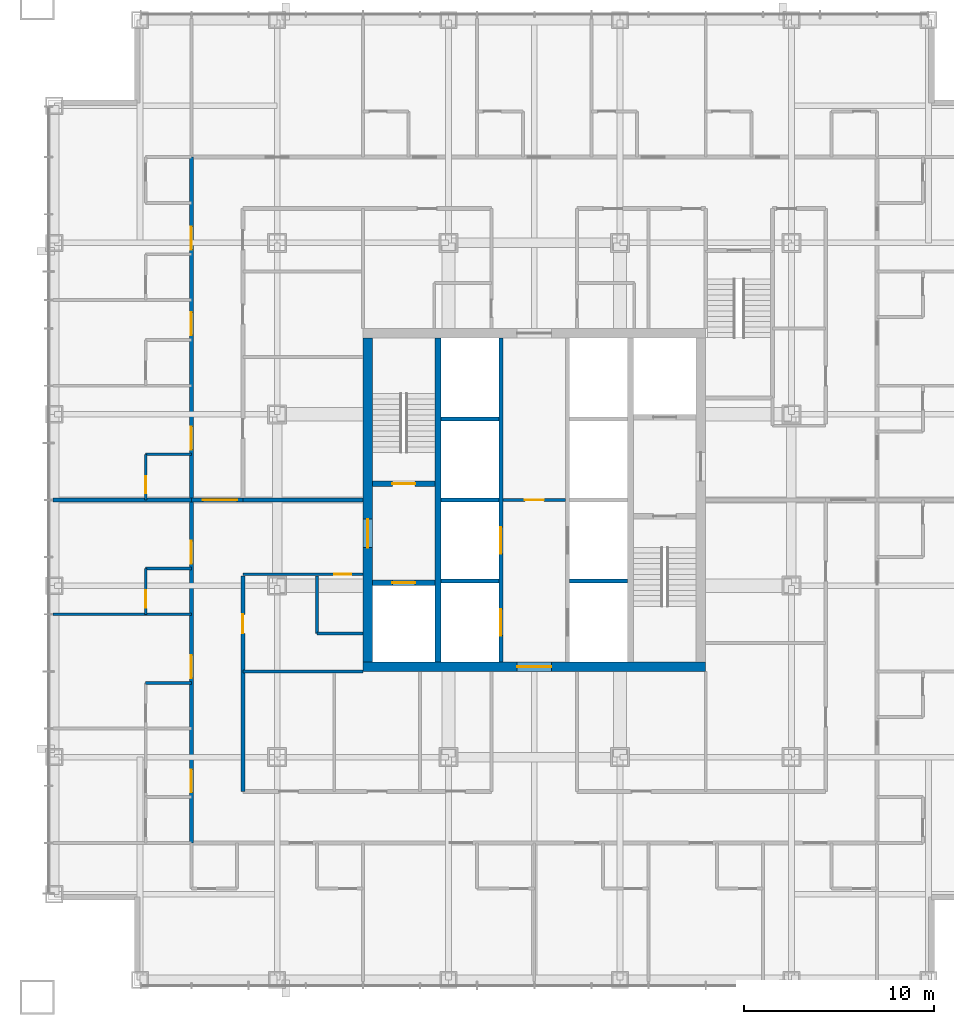
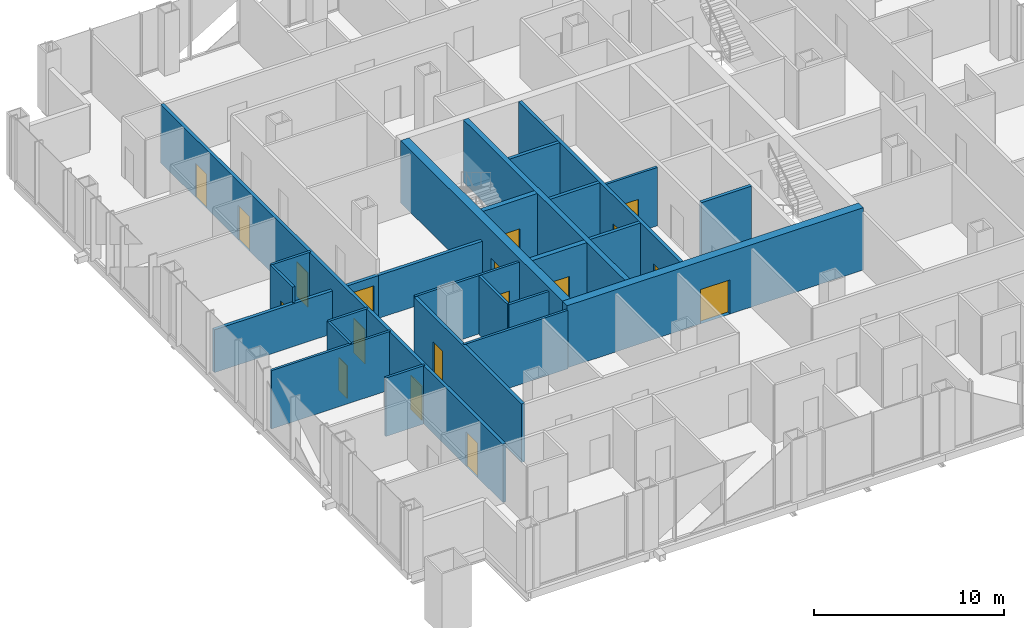
# One storey, part 8 of 14: 26 walls, 18 doors, 18 openings.
"""IFC4 building model written with IfcOpenShell, lengths in metres."""

from ifc_helpers import new_model, si_unit, direction, frame, frame_2d, origin, place, context, subcontext, project, spatial, rectangle, extrude, material, layer, layer_set, type_object, element, fill, save


model = new_model("IFC4")

# Units and contexts
model_context = context("Model", 3, precision=1e-05, world=origin(), true_north=direction((0.0, 1.0)))
body_context = subcontext(model_context, "Body", "Model", "MODEL_VIEW")
ifc_project = project(units=[si_unit("LENGTHUNIT", "METRE"), si_unit("AREAUNIT", "SQUARE_METRE"), si_unit("VOLUMEUNIT", "CUBIC_METRE"), si_unit("PLANEANGLEUNIT", "RADIAN"), si_unit("MASSUNIT", "GRAM", prefix="KILO")], contexts=[model_context])

# Site, building, storey
site_placement = place(None, origin())
site = spatial("IfcSite", under=ifc_project, at=site_placement, CompositionType="ELEMENT")
building_placement = place(site_placement, origin())
building = spatial("IfcBuilding", under=site, at=building_placement, Name="Malebo Sky Hospital", CompositionType="ELEMENT")
storey_placement = place(building_placement, frame((0.0, 0.0, 71.0)))
storey = spatial("IfcBuildingStorey", under=building, at=storey_placement, Name="L16", CompositionType="ELEMENT", Elevation=71.0)

# Wall, openings, doors
ifc_material_1 = material(Name="Concrete C80/95", Category="concrete")
ifc_layer_1 = layer(ifc_material_1, 0.199951171875)
ifc_layer_set_1 = layer_set([ifc_layer_1], Name="CORE INNER WALL 200")
wall_type_1 = type_object("IfcWallType", Name="CORE INNER WALL 200", PredefinedType="SHEAR", material=ifc_layer_set_1)
wall_1_placement = place(storey_placement, frame((58.25, 53.5, 0.0), z_axis=(0.0, 0.0, 1.0), x_axis=(0.0, 1.0, 0.0)))
wall_1 = element("IfcWall", 1, at=wall_1_placement, inside=storey, type_object=wall_type_1, Name="Core wall LW L16", PredefinedType="SHEAR", context=body_context, shape_type="SweptSolid", body=[
    extrude(rectangle(XDim=17.0, YDim=0.199951171875, at=frame_2d((8.5, 0.0))), origin(), (0.0, 0.0, 1.0), 4.0),
])
opening_1_placement = place(wall_1_placement, frame((1.375, 0.0, 0.0)))
opening_1 = element("IfcOpeningElement", 2, at=opening_1_placement, cuts=wall_1, Name="Opening LD1", PredefinedType="OPENING", context=body_context, shape_type="SweptSolid", body=[
    extrude(rectangle(XDim=1.39990234375, YDim=2.199951171875, at=frame_2d((0.699951171875, 1.10009765625))), frame((0.0, 0.10986328125, 0.0), z_axis=(0.0, -1.0, 0.0), x_axis=(1.0, 0.0, 0.0)), (0.0, 0.0, 1.0), 0.219970703125),
])
opening_2_placement = place(wall_1_placement, frame((5.675048828125, 0.0, 0.0)))
opening_2 = element("IfcOpeningElement", 3, at=opening_2_placement, cuts=wall_1, Name="Opening LD1", PredefinedType="OPENING", context=body_context, shape_type="SweptSolid", body=[
    extrude(rectangle(XDim=1.39990234375, YDim=2.199951171875, at=frame_2d((0.699951171875, 1.10009765625))), frame((0.0, 0.10986328125, 0.0), z_axis=(0.0, -1.0, 0.0), x_axis=(1.0, 0.0, 0.0)), (0.0, 0.0, 1.0), 0.219970703125),
])
ifc_material_2 = material(Name="Stainless steel sliding landing door", Category="steel")
door_type_1 = type_object("IfcDoorType", Name="LIFT LANDING DOOR 1400", OperationType="SLIDING_TO_LEFT", PredefinedType="DOOR", material=ifc_material_2)
door_1_placement = place(opening_1_placement, origin())
door_1 = element("IfcDoor", 4, at=door_1_placement, inside=storey, type_object=door_type_1, Name="Lift W1 landing door", OperationType="SLIDING_TO_LEFT", OverallHeight=2.199951171875, OverallWidth=1.39990234375, PredefinedType="DOOR", context=body_context, shape_type="SweptSolid", body=[
    extrude(rectangle(XDim=1.39990234375, YDim=2.199951171875, at=frame_2d((0.699951171875, 1.10009765625))), frame((0.0, 0.02490234375, 0.0), z_axis=(0.0, -1.0, 0.0), x_axis=(1.0, 0.0, 0.0)), (0.0, 0.0, 1.0), 0.050048828125),
])
fill(opening_1, door_1)
door_2_placement = place(opening_2_placement, origin())
door_2 = element("IfcDoor", 5, at=door_2_placement, inside=storey, type_object=door_type_1, Name="Lift W2 landing door", OperationType="SLIDING_TO_LEFT", OverallHeight=2.199951171875, OverallWidth=1.39990234375, PredefinedType="DOOR", context=body_context, shape_type="SweptSolid", body=[
    extrude(rectangle(XDim=1.39990234375, YDim=2.199951171875, at=frame_2d((0.699951171875, 1.10009765625))), frame((0.0, 0.02490234375, 0.0), z_axis=(0.0, -1.0, 0.0), x_axis=(1.0, 0.0, 0.0)), (0.0, 0.0, 1.0), 0.050048828125),
])
fill(opening_2, door_2)

# Walls
for number, where, z_axis, x_axis, name in (
    (6, (55.10009765625, 57.75, 0.0), (0.0, 0.0, 1.0), (1.0, 0.0, 0.0), "Core wall SW0 L16"),
    (7, (61.85009765625, 57.75, 0.0), (0.0, 0.0, 1.0), (1.0, 0.0, 0.0), "Core wall SE0 L16"),
    (8, (55.10009765625, 62.0, 0.0), (0.0, 0.0, 1.0), (1.0, 0.0, 0.0), "Core wall SW1 L16"),
    (9, (55.10009765625, 66.25, 0.0), (0.0, 0.0, 1.0), (1.0, 0.0, 0.0), "Core wall SW2 L16"),
):
    element("IfcWall", number, at=place(storey_placement, frame(where, z_axis=z_axis, x_axis=x_axis)), inside=storey, type_object=wall_type_1, Name=name, PredefinedType="SHEAR", context=body_context, shape_type="SweptSolid", body=[
        extrude(rectangle(XDim=3.0498046875, YDim=0.199951171875, at=frame_2d((1.52490234375, 0.0))), origin(), (0.0, 0.0, 1.0), 4.0),
    ])
ifc_layer_2 = layer(ifc_material_1, 0.300048828125)
ifc_layer_set_2 = layer_set([ifc_layer_2], Name="CORE INNER WALL 300")
wall_type_2 = type_object("IfcWallType", Name="CORE INNER WALL 300", PredefinedType="SHEAR", material=ifc_layer_set_2)
wall_2_placement = place(storey_placement, frame((54.949951171875, 53.5, 0.0), z_axis=(0.0, 0.0, 1.0), x_axis=(0.0, 1.0, 0.0)))
element("IfcWall", 10, at=wall_2_placement, inside=storey, type_object=wall_type_2, Name="Core wall XW L16", PredefinedType="SHEAR", context=body_context, shape_type="SweptSolid", body=[
    extrude(rectangle(XDim=17.0, YDim=0.300048828125, at=frame_2d((8.5, 0.0))), origin(), (0.0, 0.0, 1.0), 4.0),
])

# Wall, opening, door
wall_3_placement = place(storey_placement, frame((51.5, 62.85009765625, 0.0), z_axis=(0.0, 0.0, 1.0), x_axis=(1.0, 0.0, 0.0)))
wall_3 = element("IfcWall", 11, at=wall_3_placement, inside=storey, type_object=wall_type_2, Name="Core wall W1 L16", PredefinedType="SHEAR", context=body_context, shape_type="SweptSolid", body=[
    extrude(rectangle(XDim=3.300048828125, YDim=0.300048828125, at=frame_2d((1.64990234375, 0.0))), origin(), (0.0, 0.0, 1.0), 4.0),
])
opening_3_placement = place(wall_3_placement, frame((1.050048828125, 0.0, 0.0)))
opening_3 = element("IfcOpeningElement", 12, at=opening_3_placement, cuts=wall_3, Name="Opening D08", PredefinedType="OPENING", context=body_context, shape_type="SweptSolid", body=[
    extrude(rectangle(XDim=1.199951171875, YDim=2.10009765625, at=frame_2d((0.60009765625, 1.050048828125))), frame((0.0, 0.159912109375, 0.0), z_axis=(0.0, -1.0, 0.0), x_axis=(1.0, 0.0, 0.0)), (0.0, 0.0, 1.0), 0.320068359375),
])
ifc_material_3 = material(Name="Hardwood-faced door leaf in steel frame", Category="steel")
door_type_2 = type_object("IfcDoorType", Name="STAIR DOOR 1200", OperationType="SINGLE_SWING_LEFT", PredefinedType="DOOR", material=ifc_material_3)
door_3_placement = place(opening_3_placement, origin())
door_3 = element("IfcDoor", 13, at=door_3_placement, inside=storey, type_object=door_type_2, Name="Stair S1 door", OperationType="SINGLE_SWING_LEFT", OverallHeight=2.10009765625, OverallWidth=1.199951171875, PredefinedType="DOOR", context=body_context, shape_type="SweptSolid", body=[
    extrude(rectangle(XDim=1.199951171875, YDim=2.10009765625, at=frame_2d((0.60009765625, 1.050048828125))), frame((0.0, 0.02490234375, 0.0), z_axis=(0.0, -1.0, 0.0), x_axis=(1.0, 0.0, 0.0)), (0.0, 0.0, 1.0), 0.050048828125),
])
fill(opening_3, door_3)

wall_4_placement = place(storey_placement, frame((51.5, 57.64990234375, 0.0), z_axis=(0.0, 0.0, 1.0), x_axis=(1.0, 0.0, 0.0)))
wall_4 = element("IfcWall", 14, at=wall_4_placement, inside=storey, type_object=wall_type_2, Name="Core wall W2 L16", PredefinedType="SHEAR", context=body_context, shape_type="SweptSolid", body=[
    extrude(rectangle(XDim=3.300048828125, YDim=0.300048828125, at=frame_2d((1.64990234375, 0.0))), origin(), (0.0, 0.0, 1.0), 4.0),
])
opening_4_placement = place(wall_4_placement, frame((1.050048828125, 0.0, 0.0)))
opening_4 = element("IfcOpeningElement", 15, at=opening_4_placement, cuts=wall_4, Name="Opening LD2", PredefinedType="OPENING", context=body_context, shape_type="SweptSolid", body=[
    extrude(rectangle(XDim=1.199951171875, YDim=2.199951171875, at=frame_2d((0.60009765625, 1.10009765625))), frame((0.0, 0.159912109375, 0.0), z_axis=(0.0, -1.0, 0.0), x_axis=(1.0, 0.0, 0.0)), (0.0, 0.0, 1.0), 0.320068359375),
])
door_type_3 = type_object("IfcDoorType", Name="FIRE-FIGHTING LIFT LANDING DOOR 1200", OperationType="SLIDING_TO_LEFT", PredefinedType="DOOR", material=ifc_material_2)
door_4_placement = place(opening_4_placement, origin())
door_4 = element("IfcDoor", 16, at=door_4_placement, inside=storey, type_object=door_type_3, Name="Lift FL1 landing door", OperationType="SLIDING_TO_LEFT", OverallHeight=2.199951171875, OverallWidth=1.199951171875, PredefinedType="DOOR", context=body_context, shape_type="SweptSolid", body=[
    extrude(rectangle(XDim=1.199951171875, YDim=2.199951171875, at=frame_2d((0.60009765625, 1.10009765625))), frame((0.0, 0.02490234375, 0.0), z_axis=(0.0, -1.0, 0.0), x_axis=(1.0, 0.0, 0.0)), (0.0, 0.0, 1.0), 0.050048828125),
])
fill(opening_4, door_4)

ifc_layer_3 = layer(ifc_material_1, 0.5)
ifc_layer_set_3 = layer_set([ifc_layer_3], Name="CORE WALL 500")
wall_type_3 = type_object("IfcWallType", Name="CORE WALL 500", PredefinedType="SHEAR", material=ifc_layer_set_3)
wall_5_placement = place(storey_placement, frame((51.0, 53.25, 0.0), z_axis=(0.0, 0.0, 1.0), x_axis=(1.0, 0.0, 0.0)))
wall_5 = element("IfcWall", 17, at=wall_5_placement, inside=storey, type_object=wall_type_3, Name="Core wall S L16", PredefinedType="SHEAR", context=body_context, shape_type="SweptSolid", body=[
    extrude(rectangle(XDim=18.0, YDim=0.5, at=frame_2d((9.0, 0.0))), origin(), (0.0, 0.0, 1.0), 4.0),
])
opening_5_placement = place(wall_5_placement, frame((8.10009765625, 0.0, 0.0)))
opening_5 = element("IfcOpeningElement", 18, at=opening_5_placement, cuts=wall_5, Name="Opening D06", PredefinedType="OPENING", context=body_context, shape_type="SweptSolid", body=[
    extrude(rectangle(XDim=1.800048828125, YDim=2.199951171875, at=frame_2d((0.89990234375, 1.10009765625))), frame((0.0, 0.260009765625, 0.0), z_axis=(0.0, -1.0, 0.0), x_axis=(1.0, 0.0, 0.0)), (0.0, 0.0, 1.0), 0.52001953125),
])
door_type_4 = type_object("IfcDoorType", Name="LOBBY DOOR PAIR 1800", OperationType="DOUBLE_DOOR_SINGLE_SWING", PredefinedType="DOOR", material=ifc_material_3)
door_5_placement = place(opening_5_placement, origin())
door_5 = element("IfcDoor", 19, at=door_5_placement, inside=storey, type_object=door_type_4, Name="Lift lobby door south", OperationType="DOUBLE_DOOR_SINGLE_SWING", OverallHeight=2.199951171875, OverallWidth=1.800048828125, PredefinedType="DOOR", context=body_context, shape_type="SweptSolid", body=[
    extrude(rectangle(XDim=1.800048828125, YDim=2.199951171875, at=frame_2d((0.89990234375, 1.10009765625))), frame((0.0, 0.02490234375, 0.0), z_axis=(0.0, -1.0, 0.0), x_axis=(1.0, 0.0, 0.0)), (0.0, 0.0, 1.0), 0.050048828125),
])
fill(opening_5, door_5)

wall_6_placement = place(storey_placement, frame((51.25, 53.5, 0.0), z_axis=(0.0, 0.0, 1.0), x_axis=(0.0, 1.0, 0.0)))
wall_6 = element("IfcWall", 20, at=wall_6_placement, inside=storey, type_object=wall_type_3, Name="Core wall W L16", PredefinedType="SHEAR", context=body_context, shape_type="SweptSolid", body=[
    extrude(rectangle(XDim=17.0, YDim=0.5, at=frame_2d((8.5, 0.0))), origin(), (0.0, 0.0, 1.0), 4.0),
])
opening_6_placement = place(wall_6_placement, frame((6.0, 0.0, 0.0)))
opening_6 = element("IfcOpeningElement", 21, at=opening_6_placement, cuts=wall_6, Name="Opening D07", PredefinedType="OPENING", context=body_context, shape_type="SweptSolid", body=[
    extrude(rectangle(XDim=1.5, YDim=2.199951171875, at=frame_2d((0.75, 1.10009765625))), frame((0.0, 0.260009765625, 0.0), z_axis=(0.0, -1.0, 0.0), x_axis=(1.0, 0.0, 0.0)), (0.0, 0.0, 1.0), 0.52001953125),
])
door_type_5 = type_object("IfcDoorType", Name="FIRE-FIGHTING LOBBY DOOR PAIR 1500", OperationType="DOUBLE_DOOR_SINGLE_SWING", PredefinedType="DOOR", material=ifc_material_3)
door_6_placement = place(opening_6_placement, origin())
door_6 = element("IfcDoor", 22, at=door_6_placement, inside=storey, type_object=door_type_5, Name="Fire-fighting lobby door west", OperationType="DOUBLE_DOOR_SINGLE_SWING", OverallHeight=2.199951171875, OverallWidth=1.5, PredefinedType="DOOR", context=body_context, shape_type="SweptSolid", body=[
    extrude(rectangle(XDim=1.5, YDim=2.199951171875, at=frame_2d((0.75, 1.10009765625))), frame((0.0, 0.02490234375, 0.0), z_axis=(0.0, -1.0, 0.0), x_axis=(1.0, 0.0, 0.0)), (0.0, 0.0, 1.0), 0.050048828125),
])
fill(opening_6, door_6)

# Wall, openings, doors
ifc_material_4 = material(Name="Gypsum board on steel studs", Category="steel")
ifc_layer_4 = layer(ifc_material_4, 0.199951171875)
ifc_layer_set_4 = layer_set([ifc_layer_4], Name="CORRIDOR WALL 200")
wall_type_4 = type_object("IfcWallType", Name="CORRIDOR WALL 200", PredefinedType="PARTITIONING", material=ifc_layer_set_4)
wall_7_placement = place(storey_placement, frame((42.0, 44.0, 0.0), z_axis=(0.0, 0.0, 1.0), x_axis=(0.0, 1.0, 0.0)))
wall_7 = element("IfcWall", 23, at=wall_7_placement, inside=storey, type_object=wall_type_4, Name="Corridor Wall 200 WCO", PredefinedType="PARTITIONING", context=body_context, shape_type="SweptSolid", body=[
    extrude(rectangle(XDim=36.0, YDim=0.199951171875, at=frame_2d((18.0, 0.0))), origin(), (0.0, 0.0, 1.0), 3.75),
])
opening_7_placement = place(wall_7_placement, frame((2.64990234375, 0.0, 0.0)))
opening_7 = element("IfcOpeningElement", 24, at=opening_7_placement, cuts=wall_7, Name="Opening D18", PredefinedType="OPENING", context=body_context, shape_type="SweptSolid", body=[
    extrude(rectangle(XDim=1.199951171875, YDim=2.199951171875, at=frame_2d((0.60009765625, 1.10009765625))), frame((0.0, 0.10986328125, 0.0), z_axis=(0.0, -1.0, 0.0), x_axis=(1.0, 0.0, 0.0)), (0.0, 0.0, 1.0), 0.219970703125),
])
opening_8_placement = place(wall_7_placement, frame((8.64990234375, 0.0, 0.0)))
opening_8 = element("IfcOpeningElement", 25, at=opening_8_placement, cuts=wall_7, Name="Opening D01", PredefinedType="OPENING", context=body_context, shape_type="SweptSolid", body=[
    extrude(rectangle(XDim=1.199951171875, YDim=2.199951171875, at=frame_2d((0.60009765625, 1.10009765625))), frame((0.0, 0.10986328125, 0.0), z_axis=(0.0, -1.0, 0.0), x_axis=(1.0, 0.0, 0.0)), (0.0, 0.0, 1.0), 0.219970703125),
])
opening_9_placement = place(wall_7_placement, frame((14.64990234375, 0.0, 0.0)))
opening_9 = element("IfcOpeningElement", 26, at=opening_9_placement, cuts=wall_7, Name="Opening D01", PredefinedType="OPENING", context=body_context, shape_type="SweptSolid", body=[
    extrude(rectangle(XDim=1.199951171875, YDim=2.199951171875, at=frame_2d((0.60009765625, 1.10009765625))), frame((0.0, 0.10986328125, 0.0), z_axis=(0.0, -1.0, 0.0), x_axis=(1.0, 0.0, 0.0)), (0.0, 0.0, 1.0), 0.219970703125),
])
opening_10_placement = place(wall_7_placement, frame((20.64990234375, 0.0, 0.0)))
opening_10 = element("IfcOpeningElement", 27, at=opening_10_placement, cuts=wall_7, Name="Opening D01", PredefinedType="OPENING", context=body_context, shape_type="SweptSolid", body=[
    extrude(rectangle(XDim=1.199951171875, YDim=2.199951171875, at=frame_2d((0.60009765625, 1.10009765625))), frame((0.0, 0.10986328125, 0.0), z_axis=(0.0, -1.0, 0.0), x_axis=(1.0, 0.0, 0.0)), (0.0, 0.0, 1.0), 0.219970703125),
])
opening_11_placement = place(wall_7_placement, frame((26.64990234375, 0.0, 0.0)))
opening_11 = element("IfcOpeningElement", 28, at=opening_11_placement, cuts=wall_7, Name="Opening D01", PredefinedType="OPENING", context=body_context, shape_type="SweptSolid", body=[
    extrude(rectangle(XDim=1.199951171875, YDim=2.199951171875, at=frame_2d((0.60009765625, 1.10009765625))), frame((0.0, 0.10986328125, 0.0), z_axis=(0.0, -1.0, 0.0), x_axis=(1.0, 0.0, 0.0)), (0.0, 0.0, 1.0), 0.219970703125),
])
opening_12_placement = place(wall_7_placement, frame((31.14990234375, 0.0, 0.0)))
opening_12 = element("IfcOpeningElement", 29, at=opening_12_placement, cuts=wall_7, Name="Opening D01", PredefinedType="OPENING", context=body_context, shape_type="SweptSolid", body=[
    extrude(rectangle(XDim=1.199951171875, YDim=2.199951171875, at=frame_2d((0.60009765625, 1.10009765625))), frame((0.0, 0.10986328125, 0.0), z_axis=(0.0, -1.0, 0.0), x_axis=(1.0, 0.0, 0.0)), (0.0, 0.0, 1.0), 0.219970703125),
])
door_type_6 = type_object("IfcDoorType", Name="ANTEROOM DOOR 1200", OperationType="SINGLE_SWING_LEFT", PredefinedType="DOOR", material=ifc_material_3)
door_7_placement = place(opening_7_placement, origin())
door_7 = element("IfcDoor", 30, at=door_7_placement, inside=storey, type_object=door_type_6, Name="Anteroom door", OperationType="SINGLE_SWING_LEFT", OverallHeight=2.199951171875, OverallWidth=1.199951171875, PredefinedType="DOOR", context=body_context, shape_type="SweptSolid", body=[
    extrude(rectangle(XDim=1.199951171875, YDim=2.199951171875, at=frame_2d((0.60009765625, 1.10009765625))), frame((0.0, 0.02490234375, 0.0), z_axis=(0.0, -1.0, 0.0), x_axis=(1.0, 0.0, 0.0)), (0.0, 0.0, 1.0), 0.050048828125),
])
fill(opening_7, door_7)
door_type_7 = type_object("IfcDoorType", Name="BED DOOR 1200", OperationType="SINGLE_SWING_LEFT", PredefinedType="DOOR", material=ifc_material_3)
door_8_placement = place(opening_8_placement, origin())
door_8 = element("IfcDoor", 31, at=door_8_placement, inside=storey, type_object=door_type_7, Name="Single bed room door", OperationType="SINGLE_SWING_LEFT", OverallHeight=2.199951171875, OverallWidth=1.199951171875, PredefinedType="DOOR", context=body_context, shape_type="SweptSolid", body=[
    extrude(rectangle(XDim=1.199951171875, YDim=2.199951171875, at=frame_2d((0.60009765625, 1.10009765625))), frame((0.0, 0.02490234375, 0.0), z_axis=(0.0, -1.0, 0.0), x_axis=(1.0, 0.0, 0.0)), (0.0, 0.0, 1.0), 0.050048828125),
])
fill(opening_8, door_8)
door_9_placement = place(opening_9_placement, origin())
door_9 = element("IfcDoor", 32, at=door_9_placement, inside=storey, type_object=door_type_7, Name="Single bed room door", OperationType="SINGLE_SWING_LEFT", OverallHeight=2.199951171875, OverallWidth=1.199951171875, PredefinedType="DOOR", context=body_context, shape_type="SweptSolid", body=[
    extrude(rectangle(XDim=1.199951171875, YDim=2.199951171875, at=frame_2d((0.60009765625, 1.10009765625))), frame((0.0, 0.02490234375, 0.0), z_axis=(0.0, -1.0, 0.0), x_axis=(1.0, 0.0, 0.0)), (0.0, 0.0, 1.0), 0.050048828125),
])
fill(opening_9, door_9)
door_10_placement = place(opening_10_placement, origin())
door_10 = element("IfcDoor", 33, at=door_10_placement, inside=storey, type_object=door_type_7, Name="Single bed room door", OperationType="SINGLE_SWING_LEFT", OverallHeight=2.199951171875, OverallWidth=1.199951171875, PredefinedType="DOOR", context=body_context, shape_type="SweptSolid", body=[
    extrude(rectangle(XDim=1.199951171875, YDim=2.199951171875, at=frame_2d((0.60009765625, 1.10009765625))), frame((0.0, 0.02490234375, 0.0), z_axis=(0.0, -1.0, 0.0), x_axis=(1.0, 0.0, 0.0)), (0.0, 0.0, 1.0), 0.050048828125),
])
fill(opening_10, door_10)
door_11_placement = place(opening_11_placement, origin())
door_11 = element("IfcDoor", 34, at=door_11_placement, inside=storey, type_object=door_type_7, Name="Single bed room door", OperationType="SINGLE_SWING_LEFT", OverallHeight=2.199951171875, OverallWidth=1.199951171875, PredefinedType="DOOR", context=body_context, shape_type="SweptSolid", body=[
    extrude(rectangle(XDim=1.199951171875, YDim=2.199951171875, at=frame_2d((0.60009765625, 1.10009765625))), frame((0.0, 0.02490234375, 0.0), z_axis=(0.0, -1.0, 0.0), x_axis=(1.0, 0.0, 0.0)), (0.0, 0.0, 1.0), 0.050048828125),
])
fill(opening_11, door_11)
door_12_placement = place(opening_12_placement, origin())
door_12 = element("IfcDoor", 35, at=door_12_placement, inside=storey, type_object=door_type_7, Name="Four-bed bay door", OperationType="SINGLE_SWING_LEFT", OverallHeight=2.199951171875, OverallWidth=1.199951171875, PredefinedType="DOOR", context=body_context, shape_type="SweptSolid", body=[
    extrude(rectangle(XDim=1.199951171875, YDim=2.199951171875, at=frame_2d((0.60009765625, 1.10009765625))), frame((0.0, 0.02490234375, 0.0), z_axis=(0.0, -1.0, 0.0), x_axis=(1.0, 0.0, 0.0)), (0.0, 0.0, 1.0), 0.050048828125),
])
fill(opening_12, door_12)

# Wall, opening, door
wall_8_placement = place(storey_placement, frame((44.699951171875, 46.699951171875, 0.0), z_axis=(0.0, 0.0, 1.0), x_axis=(0.0, 1.0, 0.0)))
wall_8 = element("IfcWall", 36, at=wall_8_placement, inside=storey, type_object=wall_type_4, Name="Corridor Wall 200 WCI1", PredefinedType="PARTITIONING", context=body_context, shape_type="SweptSolid", body=[
    extrude(rectangle(XDim=11.300048828125, YDim=0.199951171875, at=frame_2d((5.64990234375, 0.0))), origin(), (0.0, 0.0, 1.0), 3.75),
])
opening_13_placement = place(wall_8_placement, frame((8.300048828125, 0.0, 0.0)))
opening_13 = element("IfcOpeningElement", 37, at=opening_13_placement, cuts=wall_8, Name="Opening D03", PredefinedType="OPENING", context=body_context, shape_type="SweptSolid", body=[
    extrude(rectangle(XDim=1.0, YDim=2.10009765625, at=frame_2d((0.5, 1.050048828125))), frame((0.0, 0.10986328125, 0.0), z_axis=(0.0, -1.0, 0.0), x_axis=(1.0, 0.0, 0.0)), (0.0, 0.0, 1.0), 0.219970703125),
])
door_type_8 = type_object("IfcDoorType", Name="ROOM DOOR 1000", OperationType="SINGLE_SWING_LEFT", PredefinedType="DOOR", material=ifc_material_3)
door_13_placement = place(opening_13_placement, origin())
door_13 = element("IfcDoor", 38, at=door_13_placement, inside=storey, type_object=door_type_8, Name="Ward office door", OperationType="SINGLE_SWING_LEFT", OverallHeight=2.10009765625, OverallWidth=1.0, PredefinedType="DOOR", context=body_context, shape_type="SweptSolid", body=[
    extrude(rectangle(XDim=1.0, YDim=2.10009765625, at=frame_2d((0.5, 1.050048828125))), frame((0.0, 0.02490234375, 0.0), z_axis=(0.0, -1.0, 0.0), x_axis=(1.0, 0.0, 0.0)), (0.0, 0.0, 1.0), 0.050048828125),
])
fill(opening_13, door_13)

# Walls
ifc_layer_5 = layer(ifc_material_4, 0.14990234375)
ifc_layer_set_5 = layer_set([ifc_layer_5], Name="PARTITION 150")
wall_type_5 = type_object("IfcWallType", Name="PARTITION 150", PredefinedType="PARTITIONING", material=ifc_layer_set_5)
wall_9_placement = place(storey_placement, frame((42.0, 56.0, 0.0), z_axis=(0.0, 0.0, 1.0), x_axis=(-1.0, 0.0, 0.0)))
element("IfcWall", 39, at=wall_9_placement, inside=storey, type_object=wall_type_5, Name="Partition 150 WP-6.0", PredefinedType="PARTITIONING", context=body_context, shape_type="SweptSolid", body=[
    extrude(rectangle(XDim=7.27490234375, YDim=0.14990234375, at=frame_2d((3.637451171875, 0.0))), origin(), (0.0, 0.0, 1.0), 3.75),
])
wall_10_placement = place(storey_placement, frame((42.0, 52.39990234375, 0.0), z_axis=(0.0, 0.0, 1.0), x_axis=(-1.0, 0.0, 0.0)))
element("IfcWall", 40, at=wall_10_placement, inside=storey, type_object=wall_type_5, Name="Partition 150 WE1S", PredefinedType="PARTITIONING", context=body_context, shape_type="SweptSolid", body=[
    extrude(rectangle(XDim=2.39990234375, YDim=0.14990234375, at=frame_2d((1.199951171875, 0.0))), origin(), (0.0, 0.0, 1.0), 3.75),
])

# Wall, opening, door
wall_11_placement = place(storey_placement, frame((39.60009765625, 56.0, 0.0), z_axis=(0.0, 0.0, 1.0), x_axis=(0.0, 1.0, 0.0)))
wall_11 = element("IfcWall", 41, at=wall_11_placement, inside=storey, type_object=wall_type_5, Name="Partition 150 WE2F", PredefinedType="PARTITIONING", context=body_context, shape_type="SweptSolid", body=[
    extrude(rectangle(XDim=2.39990234375, YDim=0.14990234375, at=frame_2d((1.199951171875, 0.0))), origin(), (0.0, 0.0, 1.0), 3.75),
])
opening_14_placement = place(wall_11_placement, frame((0.35009765625, 0.0, 0.0)))
opening_14 = element("IfcOpeningElement", 42, at=opening_14_placement, cuts=wall_11, Name="Opening D02", PredefinedType="OPENING", context=body_context, shape_type="SweptSolid", body=[
    extrude(rectangle(XDim=0.89990234375, YDim=2.10009765625, at=frame_2d((0.449951171875, 1.050048828125))), frame((0.0, 0.0849609375, 0.0), z_axis=(0.0, -1.0, 0.0), x_axis=(1.0, 0.0, 0.0)), (0.0, 0.0, 1.0), 0.169921875),
])
door_type_9 = type_object("IfcDoorType", Name="EN-SUITE DOOR 900", OperationType="SINGLE_SWING_LEFT", PredefinedType="DOOR", material=ifc_material_3)
door_14_placement = place(opening_14_placement, origin())
door_14 = element("IfcDoor", 43, at=door_14_placement, inside=storey, type_object=door_type_9, Name="En-suite door", OperationType="SINGLE_SWING_LEFT", OverallHeight=2.10009765625, OverallWidth=0.89990234375, PredefinedType="DOOR", context=body_context, shape_type="SweptSolid", body=[
    extrude(rectangle(XDim=0.89990234375, YDim=2.10009765625, at=frame_2d((0.449951171875, 1.050048828125))), frame((0.0, 0.02490234375, 0.0), z_axis=(0.0, -1.0, 0.0), x_axis=(1.0, 0.0, 0.0)), (0.0, 0.0, 1.0), 0.050048828125),
])
fill(opening_14, door_14)

# Wall
wall_12_placement = place(storey_placement, frame((42.0, 58.39990234375, 0.0), z_axis=(0.0, 0.0, 1.0), x_axis=(-1.0, 0.0, 0.0)))
element("IfcWall", 44, at=wall_12_placement, inside=storey, type_object=wall_type_5, Name="Partition 150 WE2S", PredefinedType="PARTITIONING", context=body_context, shape_type="SweptSolid", body=[
    extrude(rectangle(XDim=2.39990234375, YDim=0.14990234375, at=frame_2d((1.199951171875, 0.0))), origin(), (0.0, 0.0, 1.0), 3.75),
])

# Wall, opening, door
wall_13_placement = place(storey_placement, frame((39.60009765625, 62.0, 0.0), z_axis=(0.0, 0.0, 1.0), x_axis=(0.0, 1.0, 0.0)))
wall_13 = element("IfcWall", 45, at=wall_13_placement, inside=storey, type_object=wall_type_5, Name="Partition 150 WE3F", PredefinedType="PARTITIONING", context=body_context, shape_type="SweptSolid", body=[
    extrude(rectangle(XDim=2.39990234375, YDim=0.14990234375, at=frame_2d((1.199951171875, 0.0))), origin(), (0.0, 0.0, 1.0), 3.75),
])
opening_15_placement = place(wall_13_placement, frame((0.35009765625, 0.0, 0.0)))
opening_15 = element("IfcOpeningElement", 46, at=opening_15_placement, cuts=wall_13, Name="Opening D02", PredefinedType="OPENING", context=body_context, shape_type="SweptSolid", body=[
    extrude(rectangle(XDim=0.89990234375, YDim=2.10009765625, at=frame_2d((0.449951171875, 1.050048828125))), frame((0.0, 0.0849609375, 0.0), z_axis=(0.0, -1.0, 0.0), x_axis=(1.0, 0.0, 0.0)), (0.0, 0.0, 1.0), 0.169921875),
])
door_15_placement = place(opening_15_placement, origin())
door_15 = element("IfcDoor", 47, at=door_15_placement, inside=storey, type_object=door_type_9, Name="En-suite door", OperationType="SINGLE_SWING_LEFT", OverallHeight=2.10009765625, OverallWidth=0.89990234375, PredefinedType="DOOR", context=body_context, shape_type="SweptSolid", body=[
    extrude(rectangle(XDim=0.89990234375, YDim=2.10009765625, at=frame_2d((0.449951171875, 1.050048828125))), frame((0.0, 0.02490234375, 0.0), z_axis=(0.0, -1.0, 0.0), x_axis=(1.0, 0.0, 0.0)), (0.0, 0.0, 1.0), 0.050048828125),
])
fill(opening_15, door_15)

# Walls
wall_14_placement = place(storey_placement, frame((42.0, 64.39990234375, 0.0), z_axis=(0.0, 0.0, 1.0), x_axis=(-1.0, 0.0, 0.0)))
element("IfcWall", 48, at=wall_14_placement, inside=storey, type_object=wall_type_5, Name="Partition 150 WE3S", PredefinedType="PARTITIONING", context=body_context, shape_type="SweptSolid", body=[
    extrude(rectangle(XDim=2.39990234375, YDim=0.14990234375, at=frame_2d((1.199951171875, 0.0))), origin(), (0.0, 0.0, 1.0), 3.75),
])
wall_15_placement = place(storey_placement, frame((51.0, 53.0, 0.0), z_axis=(0.0, 0.0, 1.0), x_axis=(-1.0, 0.0, 0.0)))
element("IfcWall", 49, at=wall_15_placement, inside=storey, type_object=wall_type_5, Name="Partition 150 WSP0", PredefinedType="PARTITIONING", context=body_context, shape_type="SweptSolid", body=[
    extrude(rectangle(XDim=6.300048828125, YDim=0.14990234375, at=frame_2d((3.14990234375, 0.0))), origin(), (0.0, 0.0, 1.0), 3.75),
])

# Wall, opening, door
wall_16_placement = place(storey_placement, frame((51.0, 58.10009765625, 0.0), z_axis=(0.0, 0.0, 1.0), x_axis=(-1.0, 0.0, 0.0)))
wall_16 = element("IfcWall", 50, at=wall_16_placement, inside=storey, type_object=wall_type_5, Name="Partition 150 WSPA", PredefinedType="PARTITIONING", context=body_context, shape_type="SweptSolid", body=[
    extrude(rectangle(XDim=6.300048828125, YDim=0.14990234375, at=frame_2d((3.14990234375, 0.0))), origin(), (0.0, 0.0, 1.0), 3.75),
])
opening_16_placement = place(wall_16_placement, frame((0.60009765625, 0.0, 0.0)))
opening_16 = element("IfcOpeningElement", 51, at=opening_16_placement, cuts=wall_16, Name="Opening D04", PredefinedType="OPENING", context=body_context, shape_type="SweptSolid", body=[
    extrude(rectangle(XDim=0.89990234375, YDim=2.10009765625, at=frame_2d((0.449951171875, 1.050048828125))), frame((0.0, 0.0849609375, 0.0), z_axis=(0.0, -1.0, 0.0), x_axis=(1.0, 0.0, 0.0)), (0.0, 0.0, 1.0), 0.169921875),
])
door_type_10 = type_object("IfcDoorType", Name="ROOM DOOR 900", OperationType="SINGLE_SWING_LEFT", PredefinedType="DOOR", material=ifc_material_3)
door_16_placement = place(opening_16_placement, origin())
door_16 = element("IfcDoor", 52, at=door_16_placement, inside=storey, type_object=door_type_10, Name="Cleaner's room door", OperationType="SINGLE_SWING_LEFT", OverallHeight=2.10009765625, OverallWidth=0.89990234375, PredefinedType="DOOR", context=body_context, shape_type="SweptSolid", body=[
    extrude(rectangle(XDim=0.89990234375, YDim=2.10009765625, at=frame_2d((0.449951171875, 1.050048828125))), frame((0.0, 0.02490234375, 0.0), z_axis=(0.0, -1.0, 0.0), x_axis=(1.0, 0.0, 0.0)), (0.0, 0.0, 1.0), 0.050048828125),
])
fill(opening_16, door_16)

# Walls
wall_17_placement = place(storey_placement, frame((48.60009765625, 55.0, 0.0), z_axis=(0.0, 0.0, 1.0), x_axis=(0.0, 1.0, 0.0)))
element("IfcWall", 53, at=wall_17_placement, inside=storey, type_object=wall_type_5, Name="Partition 150 WSX0", PredefinedType="PARTITIONING", context=body_context, shape_type="SweptSolid", body=[
    extrude(rectangle(XDim=3.0, YDim=0.14990234375, at=frame_2d((1.5, 0.0))), origin(), (0.0, 0.0, 1.0), 3.75),
])
wall_18_placement = place(storey_placement, frame((51.0, 55.0, 0.0), z_axis=(0.0, 0.0, 1.0), x_axis=(-1.0, 0.0, 0.0)))
element("IfcWall", 54, at=wall_18_placement, inside=storey, type_object=wall_type_5, Name="Partition 150 WSY0", PredefinedType="PARTITIONING", context=body_context, shape_type="SweptSolid", body=[
    extrude(rectangle(XDim=2.39990234375, YDim=0.14990234375, at=frame_2d((1.199951171875, 0.0))), origin(), (0.0, 0.0, 1.0), 3.75),
])

# Wall, opening, door
wall_19_placement = place(storey_placement, frame((58.35009765625, 62.0, 0.0), z_axis=(0.0, 0.0, 1.0), x_axis=(1.0, 0.0, 0.0)))
wall_19 = element("IfcWall", 55, at=wall_19_placement, inside=storey, type_object=wall_type_5, Name="Partition 150 LBN", PredefinedType="PARTITIONING", context=body_context, shape_type="SweptSolid", body=[
    extrude(rectangle(XDim=3.2998046875, YDim=0.14990234375, at=frame_2d((1.64990234375, 0.0))), origin(), (0.0, 0.0, 1.0), 3.75),
])
opening_17_placement = place(wall_19_placement, frame((1.14990234375, 0.0, 0.0)))
opening_17 = element("IfcOpeningElement", 56, at=opening_17_placement, cuts=wall_19, Name="Opening D03", PredefinedType="OPENING", context=body_context, shape_type="SweptSolid", body=[
    extrude(rectangle(XDim=1.0, YDim=2.10009765625, at=frame_2d((0.5, 1.050048828125))), frame((0.0, 0.0849609375, 0.0), z_axis=(0.0, -1.0, 0.0), x_axis=(1.0, 0.0, 0.0)), (0.0, 0.0, 1.0), 0.169921875),
])
door_17_placement = place(opening_17_placement, origin())
door_17 = element("IfcDoor", 57, at=door_17_placement, inside=storey, type_object=door_type_8, Name="Linen store door", OperationType="SINGLE_SWING_LEFT", OverallHeight=2.10009765625, OverallWidth=1.0, PredefinedType="DOOR", context=body_context, shape_type="SweptSolid", body=[
    extrude(rectangle(XDim=1.0, YDim=2.10009765625, at=frame_2d((0.5, 1.050048828125))), frame((0.0, 0.02490234375, 0.0), z_axis=(0.0, -1.0, 0.0), x_axis=(1.0, 0.0, 0.0)), (0.0, 0.0, 1.0), 0.050048828125),
])
fill(opening_17, door_17)

# Walls
ifc_material_5 = material(Name="Concrete blockwork", Category="masonry")
ifc_layer_6 = layer(ifc_material_5, 0.199951171875)
ifc_layer_set_6 = layer_set([ifc_layer_6], Name="SMOKE BARRIER WALL 200")
wall_type_6 = type_object("IfcWallType", Name="SMOKE BARRIER WALL 200", PredefinedType="SOLIDWALL", material=ifc_layer_set_6)
wall_20_placement = place(storey_placement, frame((42.0, 62.0, 0.0), z_axis=(0.0, 0.0, 1.0), x_axis=(-1.0, 0.0, 0.0)))
element("IfcWall", 58, at=wall_20_placement, inside=storey, type_object=wall_type_6, Name="Smoke Barrier Wall 200 WP+0.0", PredefinedType="SOLIDWALL", context=body_context, shape_type="SweptSolid", body=[
    extrude(rectangle(XDim=7.27490234375, YDim=0.199951171875, at=frame_2d((3.637451171875, 0.0))), origin(), (0.0, 0.0, 1.0), 2.75),
])
wall_21_placement = place(storey_placement, frame((51.0, 62.0, 0.0), z_axis=(0.0, 0.0, 1.0), x_axis=(-1.0, 0.0, 0.0)))
element("IfcWall", 59, at=wall_21_placement, inside=storey, type_object=wall_type_6, Name="Smoke Barrier Wall 200 WSPB", PredefinedType="SOLIDWALL", context=body_context, shape_type="SweptSolid", body=[
    extrude(rectangle(XDim=6.300048828125, YDim=0.199951171875, at=frame_2d((3.14990234375, 0.0))), origin(), (0.0, 0.0, 1.0), 2.75),
])

# Wall, opening, door
wall_22_placement = place(storey_placement, frame((44.699951171875, 62.0, 0.0), z_axis=(0.0, 0.0, 1.0), x_axis=(-1.0, 0.0, 0.0)))
wall_22 = element("IfcWall", 60, at=wall_22_placement, inside=storey, type_object=wall_type_6, Name="Smoke Barrier Wall 200 WSB", PredefinedType="SOLIDWALL", context=body_context, shape_type="SweptSolid", body=[
    extrude(rectangle(XDim=2.699951171875, YDim=0.199951171875, at=frame_2d((1.35009765625, 0.0))), origin(), (0.0, 0.0, 1.0), 2.75),
])
opening_18_placement = place(wall_22_placement, frame((0.300048828125, 0.0, 0.0)))
opening_18 = element("IfcOpeningElement", 61, at=opening_18_placement, cuts=wall_22, Name="Opening D05", PredefinedType="OPENING", context=body_context, shape_type="SweptSolid", body=[
    extrude(rectangle(XDim=1.800048828125, YDim=2.199951171875, at=frame_2d((0.89990234375, 1.10009765625))), frame((0.0, 0.10986328125, 0.0), z_axis=(0.0, -1.0, 0.0), x_axis=(1.0, 0.0, 0.0)), (0.0, 0.0, 1.0), 0.219970703125),
])
door_type_11 = type_object("IfcDoorType", Name="SMOKE DOOR PAIR 1800", OperationType="DOUBLE_DOOR_DOUBLE_SWING", PredefinedType="DOOR", material=ifc_material_3)
door_18_placement = place(opening_18_placement, origin())
door_18 = element("IfcDoor", 62, at=door_18_placement, inside=storey, type_object=door_type_11, Name="Smoke compartment door pair", OperationType="DOUBLE_DOOR_DOUBLE_SWING", OverallHeight=2.199951171875, OverallWidth=1.800048828125, PredefinedType="DOOR", context=body_context, shape_type="SweptSolid", body=[
    extrude(rectangle(XDim=1.800048828125, YDim=2.199951171875, at=frame_2d((0.89990234375, 1.10009765625))), frame((0.0, 0.02490234375, 0.0), z_axis=(0.0, -1.0, 0.0), x_axis=(1.0, 0.0, 0.0)), (0.0, 0.0, 1.0), 0.050048828125),
])
fill(opening_18, door_18)

save(model, "model.ifc")
